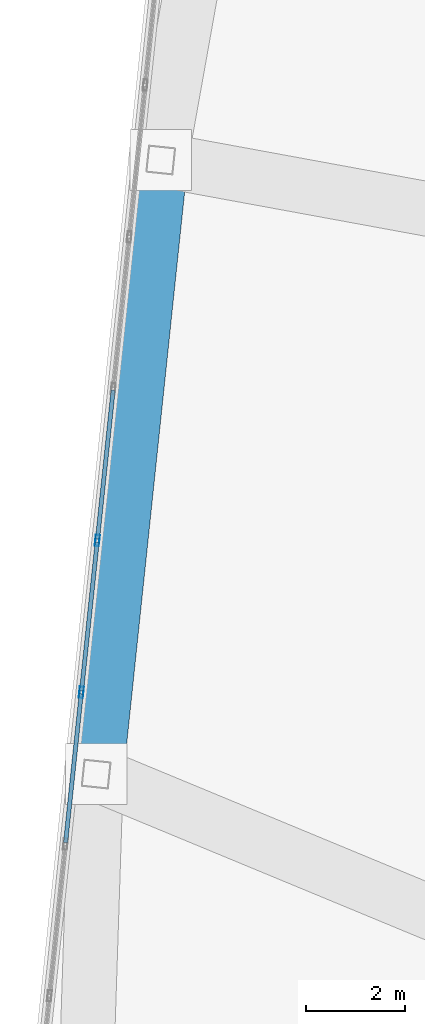
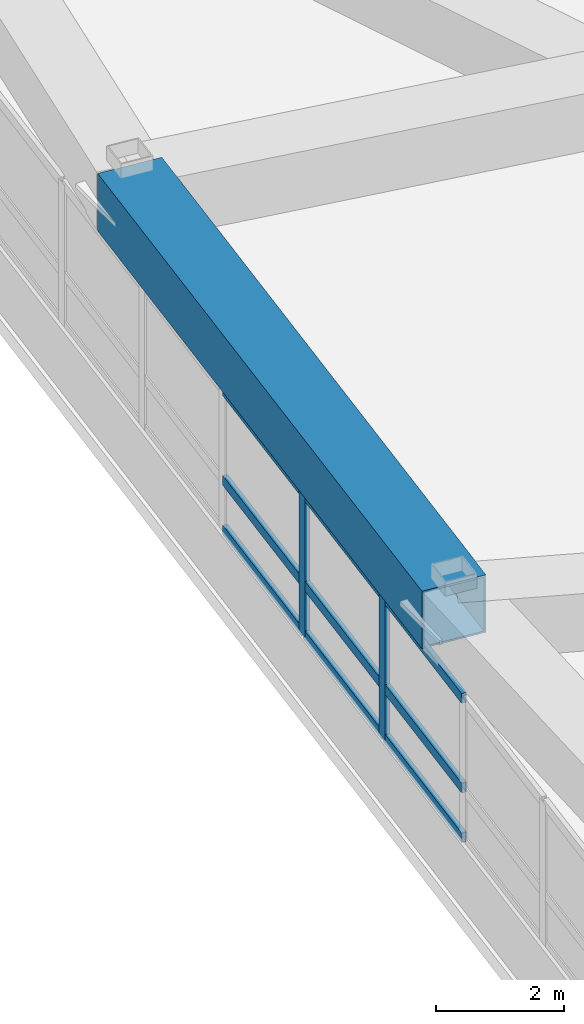
# One storey, part 6 of 23: 11 members, 1 beam, 1 element without a shape of its own.
"""IFC4 building model written with IfcOpenShell, lengths in metres."""

from ifc_helpers import new_model, si_unit, direction, frame, origin, origin_2d, place, context, subcontext, project, spatial, hollow_rectangle, extrude, material, layer, layer_set, material_profile, profile_set, type_object, element, aggregate, save


model = new_model("IFC4")

# Units and contexts
model_context = context("Model", 3, precision=1e-05, world=origin(), true_north=direction((0.0, 1.0)))
body_context = subcontext(model_context, "Body", "Model", "MODEL_VIEW")
ifc_project = project(units=[si_unit("LENGTHUNIT", "METRE"), si_unit("AREAUNIT", "SQUARE_METRE"), si_unit("VOLUMEUNIT", "CUBIC_METRE"), si_unit("PLANEANGLEUNIT", "RADIAN"), si_unit("MASSUNIT", "GRAM", prefix="KILO")], contexts=[model_context])

# Site, building, storey
site_placement = place(None, origin())
site = spatial("IfcSite", under=ifc_project, at=site_placement, CompositionType="ELEMENT")
building_placement = place(site_placement, origin())
building = spatial("IfcBuilding", under=site, at=building_placement, Name="Voryun Gate Residences", CompositionType="ELEMENT")
storey_placement = place(building_placement, frame((0.0, 0.0, 316.0)))
storey = spatial("IfcBuildingStorey", under=building, at=storey_placement, Name="L78", CompositionType="ELEMENT", Elevation=316.0)

# Beam
ifc_material_1 = material(Name="Steel SM420", Category="steel")
ifc_material_profile_1 = material_profile(ifc_material_1, hollow_rectangle(XDim=1.10009765625, YDim=1.10009765625, WallThickness=0.035888671875, at=origin_2d()), Name="BOX-1100x1100x36")
ifc_profile_set_1 = profile_set([ifc_material_profile_1], Name="Steel SM420")
beam_type = type_object("IfcBeamType", Name="BM_ARCH_RIB", PredefinedType="USERDEFINED", material=ifc_profile_set_1)
beam_placement = place(storey_placement, frame((-27.158203125, 8.861572265625, 4.47509765625), z_axis=(-0.104539303236, -0.994520755982, 0.0), x_axis=(0.994520755982, -0.104539303236, 0.0)))
element("IfcBeam", 1, at=beam_placement, inside=storey, type_object=beam_type, Name="BM-L78-SPAND-18", ObjectType="GIRDER", PredefinedType="USERDEFINED", context=body_context, shape_type="SweptSolid", body=[
    extrude(hollow_rectangle(XDim=1.10009765625, YDim=1.10009765625, WallThickness=0.035888671875, at=origin_2d()), origin(), (0.0, 0.0, 1.0), 12.491943359375),
])

# Curtain wall, members
ifc_material_2 = material(Name="Anodised aluminium", Category="aluminium")
ifc_layer = layer(ifc_material_2, 0.22998046875, Name="CW_SYS_LANTERN_DARK_GLASS")
ifc_layer_set = layer_set([ifc_layer], Name="Anodised aluminium")
curtain_wall_type = type_object("IfcCurtainWallType", Name="CW_SYS_LANTERN_DARK_GLASS", PredefinedType="NOTDEFINED", material=ifc_layer_set)
curtain_wall_placement = place(storey_placement, origin())
curtain_wall = element("IfcCurtainWall", 2, at=curtain_wall_placement, inside=storey, type_object=curtain_wall_type, Name="Curtain wall CW6-L78-06", PredefinedType="NOTDEFINED")
ifc_material_3 = material(Name="Anodised aluminium", Category="aluminium")
ifc_material_profile_2 = material_profile(ifc_material_3, hollow_rectangle(XDim=0.0849609375, YDim=0.22998046875, WallThickness=0.006103515625, at=origin_2d()), Name="ALU-MULL-230x85x6")
ifc_profile_set_2 = profile_set([ifc_material_profile_2], Name="Anodised aluminium")
member_type_1 = type_object("IfcMemberType", Name="CW_MULL_LANT", PredefinedType="MULLION", material=ifc_profile_set_2)
member_1_placement = place(storey_placement, frame((-28.7626953125, -1.907470703125, 1.18994140625), z_axis=(0.0, 0.0, 1.0), x_axis=(-0.994521943608, 0.104528004296, 0.0)))
member_1 = element("IfcMember", 3, at=member_1_placement, type_object=member_type_1, Name="CW6 mullion 4", PredefinedType="MULLION", context=body_context, shape_type="SweptSolid", body=[
    extrude(hollow_rectangle(XDim=0.0849609375, YDim=0.22998046875, WallThickness=0.006103515625, at=origin_2d()), origin(), (0.0, 0.0, 1.0), 2.72509765625),
])
member_2_placement = place(storey_placement, frame((-28.43994140625, 1.163330078125, 1.18994140625), z_axis=(0.0, 0.0, 1.0), x_axis=(-0.994521943608, 0.104528004296, 0.0)))
member_2 = element("IfcMember", 4, at=member_2_placement, type_object=member_type_1, Name="CW6 mullion 5", PredefinedType="MULLION", context=body_context, shape_type="SweptSolid", body=[
    extrude(hollow_rectangle(XDim=0.0849609375, YDim=0.22998046875, WallThickness=0.006103515625, at=origin_2d()), origin(), (0.0, 0.0, 1.0), 2.72509765625),
])
ifc_material_4 = material(Name="Anodised aluminium", Category="aluminium")
ifc_material_profile_3 = material_profile(ifc_material_4, hollow_rectangle(XDim=0.0849609375, YDim=0.18994140625, WallThickness=0.006103515625, at=origin_2d()), Name="ALU-TRAN-190x85x6")
ifc_profile_set_3 = profile_set([ifc_material_profile_3], Name="Anodised aluminium")
member_type_2 = type_object("IfcMemberType", Name="CW_TRAN_LANT", PredefinedType="USERDEFINED", material=ifc_profile_set_3)
member_3_placement = place(storey_placement, frame((-29.082275390625, -4.948486328125, 1.219970703125), z_axis=(0.104500100479, 0.994524876009, 0.0), x_axis=(-0.994524876009, 0.104500100479, 0.0)))
member_3 = element("IfcMember", 5, at=member_3_placement, type_object=member_type_2, Name="CW6 transom 3.1", ObjectType="TRANSOM", PredefinedType="USERDEFINED", context=body_context, shape_type="SweptSolid", body=[
    extrude(hollow_rectangle(XDim=0.0849609375, YDim=0.18994140625, WallThickness=0.006103515625, at=origin_2d()), origin(), (0.0, 0.0, 1.0), 3.02783203125),
])
member_4_placement = place(storey_placement, frame((-29.082275390625, -4.948486328125, 2.1708984375), z_axis=(0.104500100479, 0.994524876009, 0.0), x_axis=(-0.994524876009, 0.104500100479, 0.0)))
member_4 = element("IfcMember", 6, at=member_4_placement, type_object=member_type_2, Name="CW6 transom 3.2", ObjectType="TRANSOM", PredefinedType="USERDEFINED", context=body_context, shape_type="SweptSolid", body=[
    extrude(hollow_rectangle(XDim=0.0849609375, YDim=0.18994140625, WallThickness=0.006103515625, at=origin_2d()), origin(), (0.0, 0.0, 1.0), 3.02783203125),
])
member_5_placement = place(storey_placement, frame((-29.082275390625, -4.948486328125, 3.885009765625), z_axis=(0.104500100479, 0.994524876009, 0.0), x_axis=(-0.994524876009, 0.104500100479, 0.0)))
member_5 = element("IfcMember", 7, at=member_5_placement, type_object=member_type_2, Name="CW6 transom 3.3", ObjectType="TRANSOM", PredefinedType="USERDEFINED", context=body_context, shape_type="SweptSolid", body=[
    extrude(hollow_rectangle(XDim=0.0849609375, YDim=0.18994140625, WallThickness=0.006103515625, at=origin_2d()), origin(), (0.0, 0.0, 1.0), 3.02783203125),
])
member_6_placement = place(storey_placement, frame((-28.759521484375, -1.877685546875, 1.219970703125), z_axis=(0.104500100479, 0.994524876009, 0.0), x_axis=(-0.994524876009, 0.104500100479, 0.0)))
member_6 = element("IfcMember", 8, at=member_6_placement, type_object=member_type_2, Name="CW6 transom 4.1", ObjectType="TRANSOM", PredefinedType="USERDEFINED", context=body_context, shape_type="SweptSolid", body=[
    extrude(hollow_rectangle(XDim=0.0849609375, YDim=0.18994140625, WallThickness=0.006103515625, at=origin_2d()), origin(), (0.0, 0.0, 1.0), 3.02783203125),
])
member_7_placement = place(storey_placement, frame((-28.759521484375, -1.877685546875, 2.1708984375), z_axis=(0.104500100479, 0.994524876009, 0.0), x_axis=(-0.994524876009, 0.104500100479, 0.0)))
member_7 = element("IfcMember", 9, at=member_7_placement, type_object=member_type_2, Name="CW6 transom 4.2", ObjectType="TRANSOM", PredefinedType="USERDEFINED", context=body_context, shape_type="SweptSolid", body=[
    extrude(hollow_rectangle(XDim=0.0849609375, YDim=0.18994140625, WallThickness=0.006103515625, at=origin_2d()), origin(), (0.0, 0.0, 1.0), 3.02783203125),
])
member_8_placement = place(storey_placement, frame((-28.759521484375, -1.877685546875, 3.885009765625), z_axis=(0.104500100479, 0.994524876009, 0.0), x_axis=(-0.994524876009, 0.104500100479, 0.0)))
member_8 = element("IfcMember", 10, at=member_8_placement, type_object=member_type_2, Name="CW6 transom 4.3", ObjectType="TRANSOM", PredefinedType="USERDEFINED", context=body_context, shape_type="SweptSolid", body=[
    extrude(hollow_rectangle(XDim=0.0849609375, YDim=0.18994140625, WallThickness=0.006103515625, at=origin_2d()), origin(), (0.0, 0.0, 1.0), 3.02783203125),
])
member_9_placement = place(storey_placement, frame((-28.436767578125, 1.193359375, 1.219970703125), z_axis=(0.104500100479, 0.994524876009, 0.0), x_axis=(-0.994524876009, 0.104500100479, 0.0)))
member_9 = element("IfcMember", 11, at=member_9_placement, type_object=member_type_2, Name="CW6 transom 5.1", ObjectType="TRANSOM", PredefinedType="USERDEFINED", context=body_context, shape_type="SweptSolid", body=[
    extrude(hollow_rectangle(XDim=0.0849609375, YDim=0.18994140625, WallThickness=0.006103515625, at=origin_2d()), origin(), (0.0, 0.0, 1.0), 3.02783203125),
])
member_10_placement = place(storey_placement, frame((-28.436767578125, 1.193359375, 2.1708984375), z_axis=(0.104500100479, 0.994524876009, 0.0), x_axis=(-0.994524876009, 0.104500100479, 0.0)))
member_10 = element("IfcMember", 12, at=member_10_placement, type_object=member_type_2, Name="CW6 transom 5.2", ObjectType="TRANSOM", PredefinedType="USERDEFINED", context=body_context, shape_type="SweptSolid", body=[
    extrude(hollow_rectangle(XDim=0.0849609375, YDim=0.18994140625, WallThickness=0.006103515625, at=origin_2d()), origin(), (0.0, 0.0, 1.0), 3.02783203125),
])
member_11_placement = place(storey_placement, frame((-28.436767578125, 1.193359375, 3.885009765625), z_axis=(0.104500100479, 0.994524876009, 0.0), x_axis=(-0.994524876009, 0.104500100479, 0.0)))
member_11 = element("IfcMember", 13, at=member_11_placement, type_object=member_type_2, Name="CW6 transom 5.3", ObjectType="TRANSOM", PredefinedType="USERDEFINED", context=body_context, shape_type="SweptSolid", body=[
    extrude(hollow_rectangle(XDim=0.0849609375, YDim=0.18994140625, WallThickness=0.006103515625, at=origin_2d()), origin(), (0.0, 0.0, 1.0), 3.02783203125),
])
aggregate(curtain_wall, [member_1, member_2, member_3, member_4, member_5, member_6, member_7, member_8, member_9, member_10, member_11])

save(model, "model.ifc")
